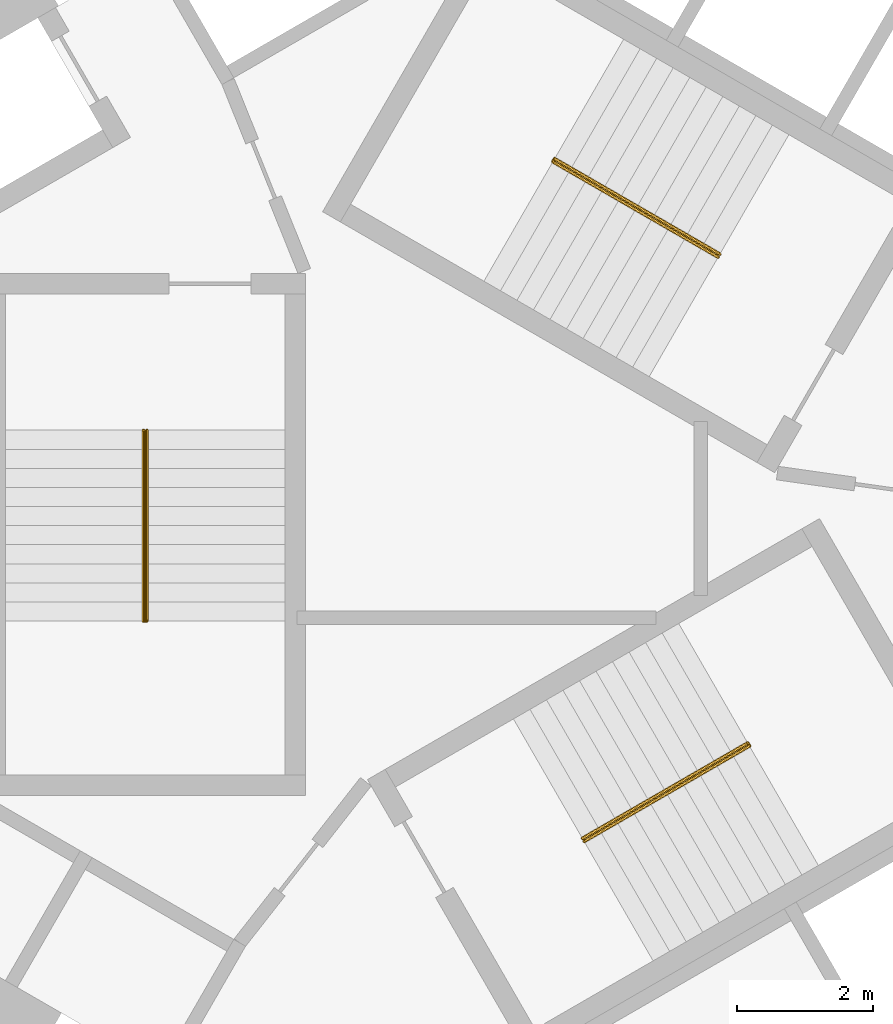
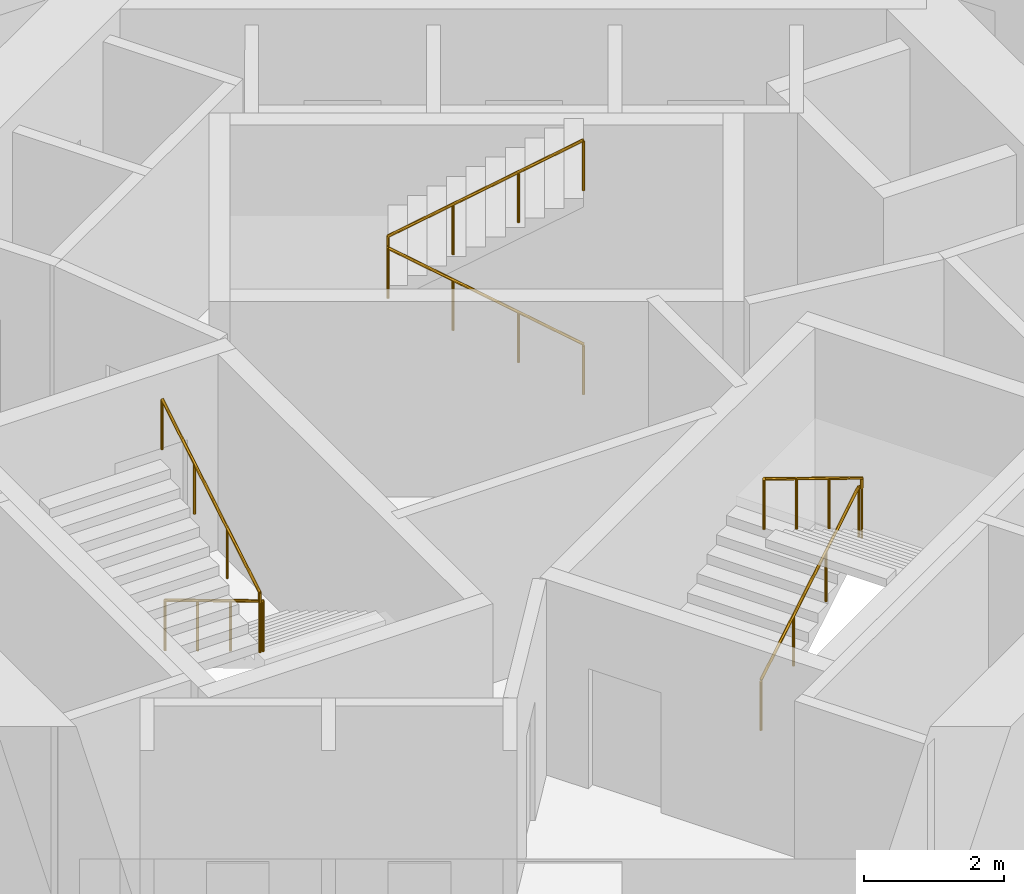
# One storey, part 11 of 11: 3 railings.
"""IFC4 building model written with IfcOpenShell, lengths in metres."""

from ifc_helpers import new_model, si_unit, direction, frame, origin, origin_2d, place, context, subcontext, project, spatial, circle, extrude, material, type_object, element, save


model = new_model("IFC4")

# Units and contexts
model_context = context("Model", 3, precision=1e-05, world=origin(), true_north=direction((0.0, 1.0)))
body_context = subcontext(model_context, "Body", "Model", "MODEL_VIEW")
ifc_project = project(units=[si_unit("LENGTHUNIT", "METRE"), si_unit("AREAUNIT", "SQUARE_METRE"), si_unit("VOLUMEUNIT", "CUBIC_METRE"), si_unit("PLANEANGLEUNIT", "RADIAN"), si_unit("MASSUNIT", "GRAM", prefix="KILO")], contexts=[model_context])

# Site, building, storey
site_placement = place(None, origin())
site = spatial("IfcSite", under=ifc_project, at=site_placement, CompositionType="ELEMENT")
building_placement = place(site_placement, origin())
building = spatial("IfcBuilding", under=site, at=building_placement, Name="Vanh Sen Convention Tower", CompositionType="ELEMENT")
storey_placement = place(building_placement, frame((0.0, 0.0, 128.10009765625)))
storey = spatial("IfcBuildingStorey", under=building, at=storey_placement, Name="L31", CompositionType="ELEMENT", Elevation=128.10009765625)

# Railings
ifc_material = material(Name="Stainless steel handrail", Category="steel")
railing_type = type_object("IfcRailingType", Name="Stair handrail 900", PredefinedType="HANDRAIL", material=ifc_material)
railing_1_placement = place(storey_placement, frame((3.45849609375, 3.690185546875, 0.168212890625)))
element("IfcRailing", 1, at=railing_1_placement, inside=storey, type_object=railing_type, Name="Stair handrail ST1 L31", PredefinedType="HANDRAIL", context=body_context, shape_type="SweptSolid", body=[
    extrude(circle(Radius=0.02392578125, at=origin_2d()), frame((0.0, 0.0, 0.8759765625), z_axis=(-0.74241905619, 0.428617687091, 0.514879426), x_axis=(-0.49998411664, -0.866034573852, 0.0)), (0.0, 0.0, 1.0), 3.26611328125),
    extrude(circle(Radius=0.02392578125, at=origin_2d()), frame((-2.4248046875, 1.39990234375, 2.5576171875), z_axis=(0.497188445666, 0.867642581652, 0.0), x_axis=(-0.867642581652, 0.497188445666, 0.0)), (0.0, 0.0, 1.0), 0.050048828125),
    extrude(circle(Radius=0.02392578125, at=origin_2d()), frame((-2.39990234375, 1.443359375, 2.5576171875), z_axis=(0.0, 0.0, 1.0), x_axis=(1.0, 0.0, 0.0)), (0.0, 0.0, 1.0), 0.168212890625),
    extrude(circle(Radius=0.02392578125, at=origin_2d()), frame((-2.39990234375, 1.443359375, 2.7255859375), z_axis=(0.742366697286, -0.42866220388, 0.514917859203), x_axis=(0.500049511043, 0.865996816683, 0.0)), (0.0, 0.0, 1.0), 3.266357421875),
    extrude(circle(Radius=0.02099609375, at=origin_2d()), origin(), (0.0, 0.0, 1.0), 0.851806640625),
    extrude(circle(Radius=0.02099609375, at=origin_2d()), frame((-0.808349609375, 0.466552734375, 0.560546875)), (0.0, 0.0, 1.0), 0.851806640625),
    extrude(circle(Radius=0.02099609375, at=origin_2d()), frame((-1.616455078125, 0.933349609375, 1.12109375)), (0.0, 0.0, 1.0), 0.851806640625),
    extrude(circle(Radius=0.02099609375, at=origin_2d()), frame((-2.4248046875, 1.39990234375, 1.681640625)), (0.0, 0.0, 1.0), 0.851806640625),
    extrude(circle(Radius=0.02099609375, at=origin_2d()), frame((-2.39990234375, 1.443359375, 1.681640625)), (0.0, 0.0, 1.0), 0.851806640625),
    extrude(circle(Radius=0.02099609375, at=origin_2d()), frame((-2.39990234375, 1.443359375, 1.849853515625)), (0.0, 0.0, 1.0), 0.851806640625),
    extrude(circle(Radius=0.02099609375, at=origin_2d()), frame((-1.591552734375, 0.9765625, 2.410400390625)), (0.0, 0.0, 1.0), 0.851806640625),
    extrude(circle(Radius=0.02099609375, at=origin_2d()), frame((-0.783447265625, 0.510009765625, 2.97119140625)), (0.0, 0.0, 1.0), 0.851806640625),
    extrude(circle(Radius=0.02099609375, at=origin_2d()), frame((0.02490234375, 0.043212890625, 3.53173828125)), (0.0, 0.0, 1.0), 0.851806640625),
])
railing_2_placement = place(storey_placement, frame((-4.925048828125, 1.14990234375, 0.168212890625)))
element("IfcRailing", 2, at=railing_2_placement, inside=storey, type_object=railing_type, Name="Stair handrail ST2 L31", PredefinedType="HANDRAIL", context=body_context, shape_type="SweptSolid", body=[
    extrude(circle(Radius=0.02392578125, at=origin_2d()), frame((0.0, 0.0, 0.8759765625), z_axis=(0.0, -0.857255387014, 0.514891446264), x_axis=(1.0, 0.0, 0.0)), (0.0, 0.0, 1.0), 3.26611328125),
    extrude(circle(Radius=0.02392578125, at=origin_2d()), frame((0.0, -2.7998046875, 2.5576171875), z_axis=(-1.0, 0.0, 0.0), x_axis=(0.0, -1.0, 0.0)), (0.0, 0.0, 1.0), 0.050048828125),
    extrude(circle(Radius=0.02392578125, at=origin_2d()), frame((-0.050048828125, -2.7998046875, 2.5576171875), z_axis=(0.0, 0.0, 1.0), x_axis=(1.0, 0.0, 0.0)), (0.0, 0.0, 1.0), 0.168212890625),
    extrude(circle(Radius=0.02392578125, at=origin_2d()), frame((-0.050048828125, -2.7998046875, 2.7255859375), z_axis=(0.0, 0.857222391501, 0.514946377315), x_axis=(-1.0, 0.0, 0.0)), (0.0, 0.0, 1.0), 3.26611328125),
    extrude(circle(Radius=0.02099609375, at=origin_2d()), origin(), (0.0, 0.0, 1.0), 0.851806640625),
    extrude(circle(Radius=0.02099609375, at=origin_2d()), frame((0.0, -0.933349609375, 0.560546875)), (0.0, 0.0, 1.0), 0.851806640625),
    extrude(circle(Radius=0.02099609375, at=origin_2d()), frame((0.0, -1.866455078125, 1.12109375)), (0.0, 0.0, 1.0), 0.851806640625),
    extrude(circle(Radius=0.02099609375, at=origin_2d()), frame((0.0, -2.7998046875, 1.681640625)), (0.0, 0.0, 1.0), 0.851806640625),
    extrude(circle(Radius=0.02099609375, at=origin_2d()), frame((-0.050048828125, -2.7998046875, 1.681640625)), (0.0, 0.0, 1.0), 0.851806640625),
    extrude(circle(Radius=0.02099609375, at=origin_2d()), frame((-0.050048828125, -2.7998046875, 1.849853515625)), (0.0, 0.0, 1.0), 0.851806640625),
    extrude(circle(Radius=0.02099609375, at=origin_2d()), frame((-0.050048828125, -1.866455078125, 2.410400390625)), (0.0, 0.0, 1.0), 0.851806640625),
    extrude(circle(Radius=0.02099609375, at=origin_2d()), frame((-0.050048828125, -0.933349609375, 2.97119140625)), (0.0, 0.0, 1.0), 0.851806640625),
    extrude(circle(Radius=0.02099609375, at=origin_2d()), frame((-0.050048828125, 0.0, 3.53173828125)), (0.0, 0.0, 1.0), 0.851806640625),
])
railing_3_placement = place(storey_placement, frame((1.466552734375, -4.840087890625, 0.168212890625)))
element("IfcRailing", 3, at=railing_3_placement, inside=storey, type_object=railing_type, Name="Stair handrail ST3 L31", PredefinedType="HANDRAIL", context=body_context, shape_type="SweptSolid", body=[
    extrude(circle(Radius=0.02392578125, at=origin_2d()), frame((0.0, 0.0, 0.8759765625), z_axis=(0.74241905619, 0.428617687091, 0.514879426), x_axis=(-0.49998411664, 0.866034573852, 0.0)), (0.0, 0.0, 1.0), 3.26611328125),
    extrude(circle(Radius=0.02392578125, at=origin_2d()), frame((2.4248046875, 1.39990234375, 2.5576171875), z_axis=(0.502959906984, -0.86430974307, 0.0), x_axis=(0.86430974307, 0.502959906984, 0.0)), (0.0, 0.0, 1.0), 0.050048828125),
    extrude(circle(Radius=0.02392578125, at=origin_2d()), frame((2.449951171875, 1.356689453125, 2.5576171875), z_axis=(0.0, 0.0, 1.0), x_axis=(1.0, 0.0, 0.0)), (0.0, 0.0, 1.0), 0.168212890625),
    extrude(circle(Radius=0.02392578125, at=origin_2d()), frame((2.449951171875, 1.356689453125, 2.7255859375), z_axis=(-0.742366697286, -0.42866220388, 0.514917859203), x_axis=(0.500049511043, -0.865996816683, 0.0)), (0.0, 0.0, 1.0), 3.266357421875),
    extrude(circle(Radius=0.02099609375, at=origin_2d()), origin(), (0.0, 0.0, 1.0), 0.851806640625),
    extrude(circle(Radius=0.02099609375, at=origin_2d()), frame((0.808349609375, 0.466552734375, 0.560546875)), (0.0, 0.0, 1.0), 0.851806640625),
    extrude(circle(Radius=0.02099609375, at=origin_2d()), frame((1.616455078125, 0.933349609375, 1.12109375)), (0.0, 0.0, 1.0), 0.851806640625),
    extrude(circle(Radius=0.02099609375, at=origin_2d()), frame((2.4248046875, 1.39990234375, 1.681640625)), (0.0, 0.0, 1.0), 0.851806640625),
    extrude(circle(Radius=0.02099609375, at=origin_2d()), frame((2.449951171875, 1.356689453125, 1.681640625)), (0.0, 0.0, 1.0), 0.851806640625),
    extrude(circle(Radius=0.02099609375, at=origin_2d()), frame((2.449951171875, 1.356689453125, 1.849853515625)), (0.0, 0.0, 1.0), 0.851806640625),
    extrude(circle(Radius=0.02099609375, at=origin_2d()), frame((1.6416015625, 0.889892578125, 2.410400390625)), (0.0, 0.0, 1.0), 0.851806640625),
    extrude(circle(Radius=0.02099609375, at=origin_2d()), frame((0.83349609375, 0.42333984375, 2.97119140625)), (0.0, 0.0, 1.0), 0.851806640625),
    extrude(circle(Radius=0.02099609375, at=origin_2d()), frame((0.025146484375, -0.04345703125, 3.53173828125)), (0.0, 0.0, 1.0), 0.851806640625),
])

save(model, "model.ifc")
